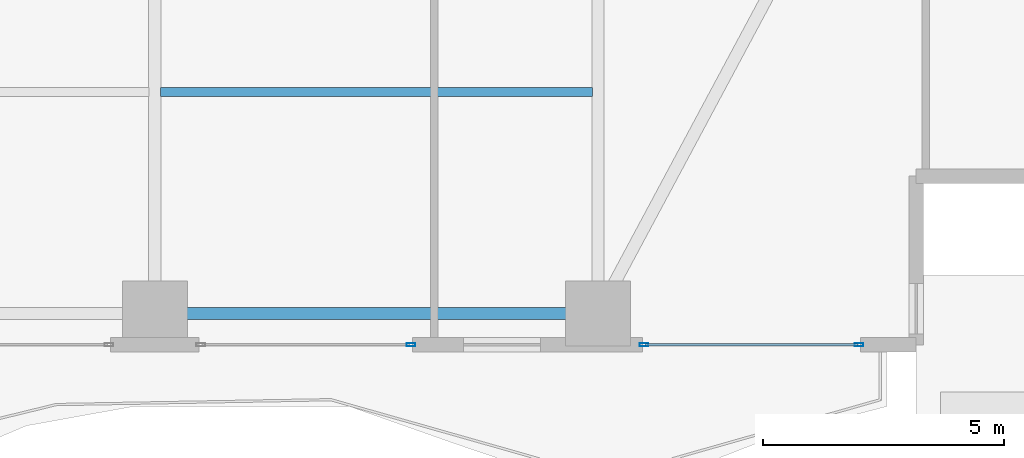
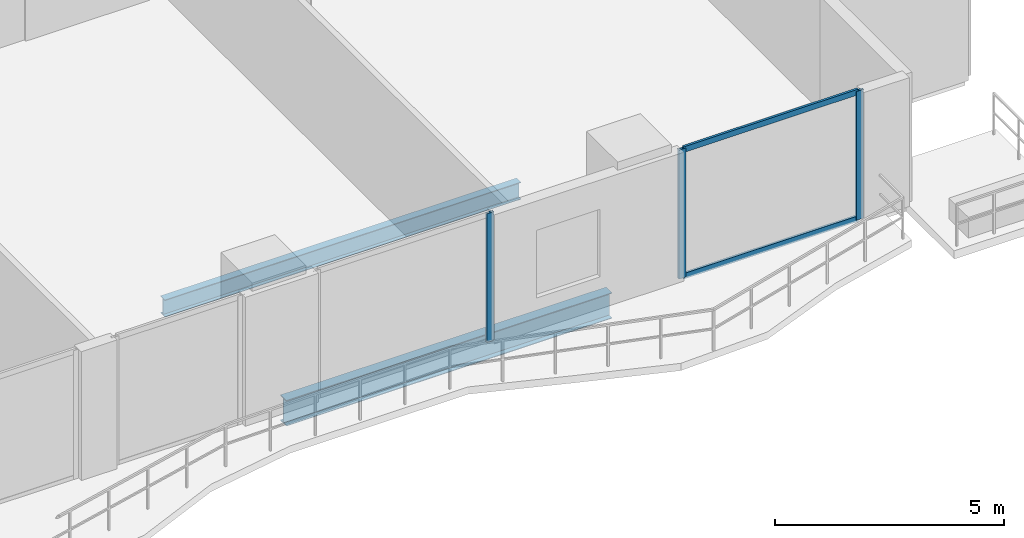
# One storey, part 9 of 29: 5 members, 2 beams, 2 elements without a shape of their own.
"""IFC4 building model written with IfcOpenShell, lengths in metres."""

import ifcopenshell
import ifcopenshell.guid

model = None  # the IFC model being written
_history = None  # IfcOwnerHistory: only IFC2X3 demands one
_inside = {}  # id of a spatial element -> (the spatial element, [elements in it])
_under = {}  # id of a project, library or spatial element -> (it, [spatial elements below it])
_declared = {}  # id of a project -> (the project, [libraries it declares])
_typed = {}  # id of a type object -> (the type object, [elements of that type])
_made_of = {}  # id of a material, layer set ... -> (it, [elements and type objects made of it])


def new_model(schema):
    """Start an empty IFC model of exactly this schema.

    Asked for "IFC4X3", IfcOpenShell would pick the latest addendum, in which some entities
    have other attributes; the version numbers below select the first issue.
    IFC2X3 requires an IfcOwnerHistory on every rooted entity: one is made here for all.
    """
    global model, _history
    if schema == "IFC4X3":
        model = ifcopenshell.file(schema_version=(4, 3, 0, 0))
    else:
        model = ifcopenshell.file(schema=schema)
    _inside.clear()
    _under.clear()
    _declared.clear()
    _typed.clear()
    _made_of.clear()
    _history = None
    if model.schema == "IFC2X3":
        org = make("IfcOrganization", Name="unknown")
        user = make(
            "IfcPersonAndOrganization",
            ThePerson=make("IfcPerson", FamilyName="unknown"),
            TheOrganization=org,
        )
        app = make(
            "IfcApplication",
            ApplicationDeveloper=org,
            Version="unknown",
            ApplicationFullName="unknown",
            ApplicationIdentifier="unknown",
        )
        _history = make(
            "IfcOwnerHistory",
            OwningUser=user,
            OwningApplication=app,
            ChangeAction="ADDED",
            CreationDate=0,
        )
    return model


def make(cls, **values):
    """One entity of the class cls with the attributes given. An attribute that is None is left unset."""
    return model.create_entity(
        cls, **{name: value for name, value in values.items() if value is not None}
    )


def rooted(cls, **values):
    """An entity with a GlobalId (a new one), such as an element, a storey or a relation."""
    return make(cls, GlobalId=ifcopenshell.guid.new(), OwnerHistory=_history, **values)


def si_unit(unit_type, name, prefix=None):
    """IfcSIUnit, for example si_unit("LENGTHUNIT", "METRE", prefix="MILLI")."""
    return make("IfcSIUnit", UnitType=unit_type, Prefix=prefix, Name=name)


def assignment(units):
    """IfcUnitAssignment: the units of a project."""
    return None if units is None else make("IfcUnitAssignment", Units=units)


def point(xyz):
    """IfcCartesianPoint."""
    return None if xyz is None else make("IfcCartesianPoint", Coordinates=xyz)


def direction(xyz):
    """IfcDirection."""
    return None if xyz is None else make("IfcDirection", DirectionRatios=xyz)


def frame(location, z_axis=None, x_axis=None):
    """IfcAxis2Placement3D, a coordinate frame: its origin and axes. An axis left out is left unset."""
    return make(
        "IfcAxis2Placement3D",
        Location=point(location),
        Axis=direction(z_axis),
        RefDirection=direction(x_axis),
    )


def frame_2d(location, x_axis=None):
    """IfcAxis2Placement2D, a coordinate frame in the plane: its origin and x axis."""
    return make(
        "IfcAxis2Placement2D", Location=point(location), RefDirection=direction(x_axis)
    )


def origin():
    """The frame at (0, 0, 0) with its axes left unset."""
    return frame((0.0, 0.0, 0.0))


def origin_2d():
    """The frame at (0, 0) in the plane with its x axis left unset."""
    return frame_2d((0.0, 0.0))


def place(relative_to, where):
    """IfcLocalPlacement: puts the frame where relative to a parent placement (None: the world)."""
    return make(
        "IfcLocalPlacement", PlacementRelTo=relative_to, RelativePlacement=where
    )


def context(
    kind, dimensions, precision=None, world=None, true_north=None, identifier=None
):
    """IfcGeometricRepresentationContext, for example the 3D "Model" context."""
    return make(
        "IfcGeometricRepresentationContext",
        ContextIdentifier=identifier,
        ContextType=kind,
        CoordinateSpaceDimension=dimensions,
        Precision=precision,
        WorldCoordinateSystem=world,
        TrueNorth=true_north,
    )


def subcontext(parent, identifier, kind, view, scale=None):
    """IfcGeometricRepresentationSubContext, for example "Body" below "Model"."""
    return make(
        "IfcGeometricRepresentationSubContext",
        ContextIdentifier=identifier,
        ContextType=kind,
        ParentContext=parent,
        TargetScale=scale,
        TargetView=view,
    )


def project(units=None, contexts=None):
    """IfcProject with its units and contexts."""
    return rooted(
        "IfcProject",
        Name="project",
        RepresentationContexts=contexts,
        UnitsInContext=assignment(units),
    )


def spatial(cls, under=None, at=None, **own):
    """A site, building, storey or space (cls), placed at a placement, below another one or the project."""
    s = rooted(cls, ObjectPlacement=at, **own)
    if under is not None:
        _under.setdefault(under.id(), (under, []))[1].append(s)
    return s


def profile(cls, at=None, kind="AREA", **sizes):
    """A parametric profile (cls). Its sizes go by their IFC names, for example OverallWidth=200.0."""
    return make(cls, ProfileType=kind, Position=at, **sizes)


def hollow_rectangle(**sizes):
    """IfcRectangleHollowProfileDef."""
    return profile("IfcRectangleHollowProfileDef", **sizes)


def i_section(**sizes):
    """IfcIShapeProfileDef."""
    return profile("IfcIShapeProfileDef", **sizes)


def extrude(swept, where, along, depth):
    """IfcExtrudedAreaSolid: the profile swept, set in the frame where, extruded along a direction by depth."""
    return make(
        "IfcExtrudedAreaSolid",
        SweptArea=swept,
        Position=where,
        ExtrudedDirection=direction(along),
        Depth=depth,
    )


def shape(context_of_items, identifier, shape_type, items):
    """IfcShapeRepresentation: the items that make up one representation, for example the "Body"."""
    return make(
        "IfcShapeRepresentation",
        ContextOfItems=context_of_items,
        RepresentationIdentifier=identifier,
        RepresentationType=shape_type,
        Items=items,
    )


def material(Name=None, Category=None):
    """IfcMaterial."""
    return make("IfcMaterial", Name=Name, Category=Category)


def layer(
    of_material, thickness, ventilated=None, Name=None, Category=None, Priority=None
):
    """IfcMaterialLayer: one layer of a wall or slab, of a material (None: an air gap)."""
    return make(
        "IfcMaterialLayer",
        Material=of_material,
        LayerThickness=thickness,
        IsVentilated=ventilated,
        Name=Name,
        Category=Category,
        Priority=Priority,
    )


def layer_set(layers, Name=None):
    """IfcMaterialLayerSet."""
    return make("IfcMaterialLayerSet", MaterialLayers=layers, LayerSetName=Name)


def material_profile(
    of_material, cross_section, Name=None, Category=None, Priority=None
):
    """IfcMaterialProfile: a cross section and its material."""
    return make(
        "IfcMaterialProfile",
        Name=Name,
        Material=of_material,
        Profile=cross_section,
        Priority=Priority,
        Category=Category,
    )


def profile_set(profiles, Name=None, composite=None):
    """IfcMaterialProfileSet."""
    return make(
        "IfcMaterialProfileSet",
        Name=Name,
        MaterialProfiles=profiles,
        CompositeProfile=composite,
    )


def made_of(thing, what):
    """Note that an element or type object is made of a material, layer set ...; save() writes the relation."""
    if what is not None:
        _made_of.setdefault(what.id(), (what, []))[1].append(thing)
    return thing


def type_object(cls, material=None, **own):
    """A type object (cls), such as IfcWallType, which elements share."""
    return made_of(rooted(cls, **own), material)


def element(
    cls,
    number,
    at=None,
    inside=None,
    cuts=None,
    type_object=None,
    material=None,
    context=None,
    identifier="Body",
    shape_type=None,
    held_by="IfcProductDefinitionShape",
    body=None,
    shapes=None,
    **own,
):
    """One element of the class cls, such as IfcWall. Its Tag is "e" and its number.

    at: its placement. inside: the storey or other place that contains it. cuts: it is an
    opening in that element (IfcRelVoidsElement). A single representation is given by context,
    identifier, shape_type and body (its items); several are given by shapes. held_by: the class
    of the entity that holds the representations. save() writes the other relations.
    """
    e = rooted(cls, Tag="e%d" % number, ObjectPlacement=at, **own)
    if body is not None:
        shapes = [shape(context, identifier, shape_type, body)]
    if shapes is not None:
        e.Representation = make(held_by, Representations=shapes)
    if inside is not None:
        _inside.setdefault(inside.id(), (inside, []))[1].append(e)
    if cuts is not None:
        rooted(
            "IfcRelVoidsElement", RelatingBuildingElement=cuts, RelatedOpeningElement=e
        )
    if type_object is not None:
        _typed.setdefault(type_object.id(), (type_object, []))[1].append(e)
    return made_of(e, material)


def aggregate(whole, parts):
    """IfcRelAggregates: a whole, such as a stair, and the parts it consists of."""
    return rooted("IfcRelAggregates", RelatingObject=whole, RelatedObjects=parts)


def save(model, path):
    """Write the relations noted so far, then the file.

    IfcRelAggregates (storeys below a building ...), IfcRelContainedInSpatialStructure (elements
    in a storey), IfcRelDefinesByType, IfcRelAssociatesMaterial and IfcRelDeclares: one each for
    every whole, place, type object, material and project.
    """
    for whole, parts in _under.values():
        aggregate(whole, parts)
    for where, things in _inside.values():
        rooted(
            "IfcRelContainedInSpatialStructure",
            RelatedElements=things,
            RelatingStructure=where,
        )
    for kind, things in _typed.values():
        rooted("IfcRelDefinesByType", RelatedObjects=things, RelatingType=kind)
    for what, things in _made_of.values():
        rooted("IfcRelAssociatesMaterial", RelatedObjects=things, RelatingMaterial=what)
    for by, libraries in _declared.values():
        rooted("IfcRelDeclares", RelatingContext=by, RelatedDefinitions=libraries)
    model.write(path)


model = new_model("IFC4")

# Units and contexts
model_context = context("Model", 3, precision=1e-05, world=origin(), true_north=direction((0.0, 1.0)))
body_context = subcontext(model_context, "Body", "Model", "MODEL_VIEW")
ifc_project = project(units=[si_unit("LENGTHUNIT", "METRE"), si_unit("AREAUNIT", "SQUARE_METRE"), si_unit("VOLUMEUNIT", "CUBIC_METRE"), si_unit("PLANEANGLEUNIT", "RADIAN"), si_unit("MASSUNIT", "GRAM", prefix="KILO")], contexts=[model_context])

# Site, building, storey
site_placement = place(None, origin())
site = spatial("IfcSite", under=ifc_project, at=site_placement, CompositionType="ELEMENT")
building_placement = place(site_placement, origin())
building = spatial("IfcBuilding", under=site, at=building_placement, Name="Zuhayl Quay Hotel", CompositionType="ELEMENT")
storey_placement = place(building_placement, frame((0.0, 0.0, 132.14990234375)))
storey = spatial("IfcBuildingStorey", under=building, at=storey_placement, Name="L33", CompositionType="ELEMENT", Elevation=132.14990234375)

# Beams
ifc_material_1 = material(Name="Steel ASTM A992 Grade 50", Category="steel")
ifc_material_profile_1 = material_profile(ifc_material_1, i_section(OverallWidth=0.25390625, OverallDepth=0.68310546875, WebThickness=0.012451171875, FlangeThickness=0.018798828125, at=origin_2d()), Name="W27X94")
ifc_profile_set_1 = profile_set([ifc_material_profile_1], Name="Steel ASTM A992 Grade 50")
beam_type_1 = type_object("IfcBeamType", Name="BM_B2_W27X94", PredefinedType="BEAM", material=ifc_profile_set_1)
beam_1_placement = place(storey_placement, frame((5.10009765625, -14.75, -0.5615234375), z_axis=(1.0, 0.0, 0.0), x_axis=(0.0, 1.0, 0.0)))
element("IfcBeam", 1, at=beam_1_placement, inside=storey, type_object=beam_type_1, Name="L33 Floor Beam RG_L33_03", PredefinedType="BEAM", context=body_context, shape_type="SweptSolid", body=[
    extrude(i_section(OverallWidth=0.25390625, OverallDepth=0.68310546875, WebThickness=0.012451171875, FlangeThickness=0.018798828125, at=origin_2d()), origin(), (0.0, 0.0, 1.0), 8.199951171875),
])
ifc_material_profile_2 = material_profile(ifc_material_1, i_section(OverallWidth=0.18994140625, OverallDepth=0.45703125, WebThickness=0.009033203125, FlangeThickness=0.014404296875, at=origin_2d()), Name="W18X50")
ifc_profile_set_2 = profile_set([ifc_material_profile_2], Name="Steel ASTM A992 Grade 50")
beam_type_2 = type_object("IfcBeamType", Name="BM_J2_W18X50", PredefinedType="JOIST", material=ifc_profile_set_2)
beam_2_placement = place(storey_placement, frame((4.718994140625, -10.14990234375, -0.448486328125), z_axis=(1.0, 0.0, 0.0), x_axis=(0.0, 1.0, 0.0)))
element("IfcBeam", 2, at=beam_2_placement, inside=storey, type_object=beam_type_2, Name="L33 Floor Beam FJ_L33_5_3", PredefinedType="JOIST", context=body_context, shape_type="SweptSolid", body=[
    extrude(i_section(OverallWidth=0.18994140625, OverallDepth=0.45703125, WebThickness=0.009033203125, FlangeThickness=0.014404296875, at=origin_2d()), origin(), (0.0, 0.0, 1.0), 8.9619140625),
])

# Curtain wall, members
ifc_material_2 = material(Name="Anodised Aluminium 6063-T6", Category="aluminium")
ifc_layer = layer(ifc_material_2, 0.179931640625, Name="Anodised Aluminium 6063-T6", Category="aluminium")
ifc_layer_set = layer_set([ifc_layer], Name="Anodised Aluminium 6063-T6")
curtain_wall_type = type_object("IfcCurtainWallType", Name="CW_SYS_Z2", PredefinedType="USERDEFINED", material=ifc_layer_set)
curtain_wall_1_placement = place(storey_placement, origin())
curtain_wall_1 = element("IfcCurtainWall", 3, at=curtain_wall_1_placement, inside=storey, type_object=curtain_wall_type, Name="L33 Curtain Wall ENV_L33_S_CW1", ObjectType="UNITISED CURTAIN WALL", PredefinedType="USERDEFINED")
ifc_material_3 = material(Name="Black-anodised aluminium 6063-T6", Category="aluminium")
ifc_material_profile_3 = material_profile(ifc_material_3, hollow_rectangle(XDim=0.06494140625, YDim=0.179931640625, WallThickness=0.00341796875, at=origin_2d()), Name="ALU180X65")
ifc_profile_set_3 = profile_set([ifc_material_profile_3], Name="Black-anodised aluminium 6063-T6")
member_type_1 = type_object("IfcMemberType", Name="MB_CW_MUL_180", PredefinedType="MULLION", material=ifc_profile_set_3)
member_1_placement = place(storey_placement, frame((19.217529296875, -15.39990234375, 0.0), z_axis=(0.0, 0.0, 1.0), x_axis=(0.0, -1.0, 0.0)))
member_1 = element("IfcMember", 4, at=member_1_placement, type_object=member_type_1, Name="CW-Z2 mullion 1", PredefinedType="MULLION", context=body_context, shape_type="SweptSolid", body=[
    extrude(hollow_rectangle(XDim=0.06494140625, YDim=0.179931640625, WallThickness=0.00341796875, at=origin_2d()), origin(), (0.0, 0.0, 1.0), 3.43017578125),
])
member_2_placement = place(storey_placement, frame((14.75244140625, -15.39990234375, 0.0), z_axis=(0.0, 0.0, 1.0), x_axis=(0.0, -1.0, 0.0)))
member_2 = element("IfcMember", 5, at=member_2_placement, type_object=member_type_1, Name="CW-Z2 mullion 2", PredefinedType="MULLION", context=body_context, shape_type="SweptSolid", body=[
    extrude(hollow_rectangle(XDim=0.06494140625, YDim=0.179931640625, WallThickness=0.00341796875, at=origin_2d()), origin(), (0.0, 0.0, 1.0), 3.43017578125),
])

# Curtain wall, member
curtain_wall_2_placement = place(storey_placement, origin())
curtain_wall_2 = element("IfcCurtainWall", 6, at=curtain_wall_2_placement, inside=storey, type_object=curtain_wall_type, Name="L33 Curtain Wall ENV_L33_S_CW2", ObjectType="UNITISED CURTAIN WALL", PredefinedType="USERDEFINED")
member_3_placement = place(storey_placement, frame((9.91748046875, -15.39990234375, 0.0), z_axis=(0.0, 0.0, 1.0), x_axis=(0.0, -1.0, 0.0)))
member_3 = element("IfcMember", 7, at=member_3_placement, type_object=member_type_1, Name="CW-Z2 mullion 1", PredefinedType="MULLION", context=body_context, shape_type="SweptSolid", body=[
    extrude(hollow_rectangle(XDim=0.06494140625, YDim=0.179931640625, WallThickness=0.00341796875, at=origin_2d()), origin(), (0.0, 0.0, 1.0), 3.43017578125),
])
aggregate(curtain_wall_2, [member_3])

# Member
ifc_material_profile_4 = material_profile(ifc_material_3, hollow_rectangle(XDim=0.06005859375, YDim=0.14990234375, WallThickness=0.00341796875, at=origin_2d()), Name="ALU150X60")
ifc_profile_set_4 = profile_set([ifc_material_profile_4], Name="Black-anodised aluminium 6063-T6")
member_type_2 = type_object("IfcMemberType", Name="MB_CW_TRN_150", PredefinedType="USERDEFINED", material=ifc_profile_set_4)
member_4_placement = place(storey_placement, frame((19.18505859375, -15.39990234375, 0.030029296875), z_axis=(-1.0, 0.0, 0.0), x_axis=(0.0, -1.0, 0.0)))
member_4 = element("IfcMember", 8, at=member_4_placement, type_object=member_type_2, Name="CW-Z2 transom 1.1", ObjectType="TRANSOM", PredefinedType="USERDEFINED", context=body_context, shape_type="SweptSolid", body=[
    extrude(hollow_rectangle(XDim=0.06005859375, YDim=0.14990234375, WallThickness=0.00341796875, at=origin_2d()), origin(), (0.0, 0.0, 1.0), 4.400146484375),
])

member_5_placement = place(storey_placement, frame((19.18505859375, -15.39990234375, 3.400146484375), z_axis=(-1.0, 0.0, 0.0), x_axis=(0.0, -1.0, 0.0)))
member_5 = element("IfcMember", 9, at=member_5_placement, type_object=member_type_2, Name="CW-Z2 transom 1.2", ObjectType="TRANSOM", PredefinedType="USERDEFINED", context=body_context, shape_type="SweptSolid", body=[
    extrude(hollow_rectangle(XDim=0.06005859375, YDim=0.14990234375, WallThickness=0.00341796875, at=origin_2d()), origin(), (0.0, 0.0, 1.0), 4.400146484375),
])

aggregate(curtain_wall_1, [member_1, member_2, member_4, member_5])

save(model, "model.ifc")
